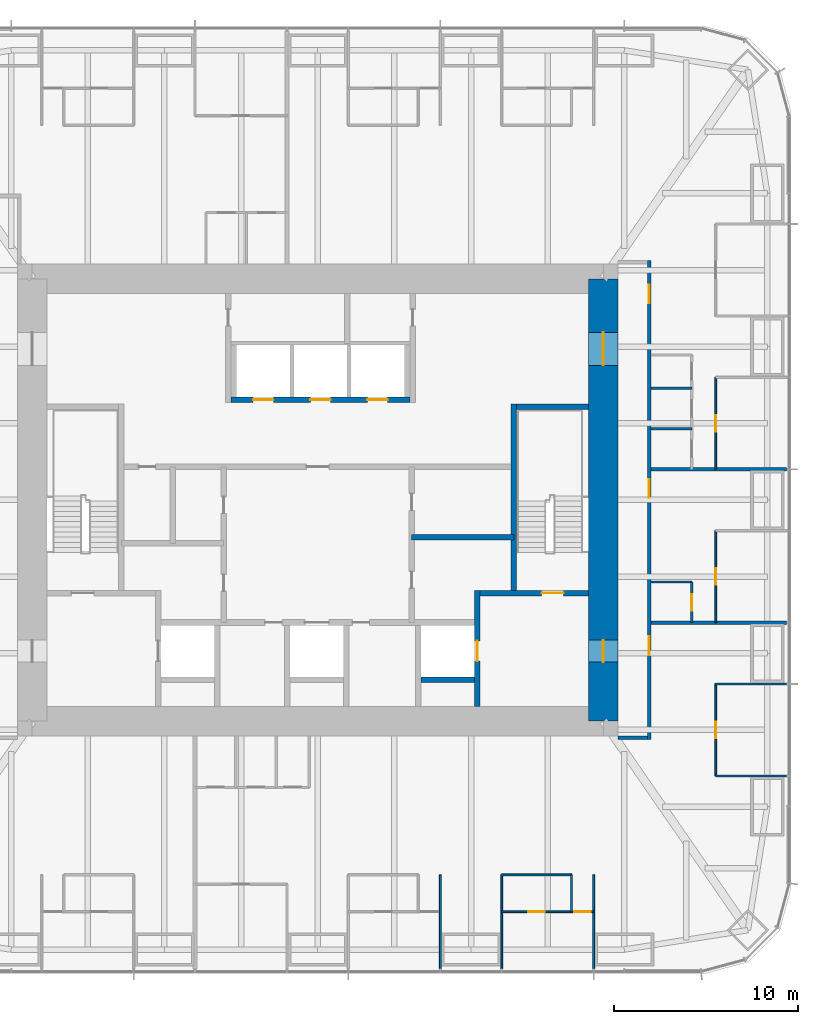
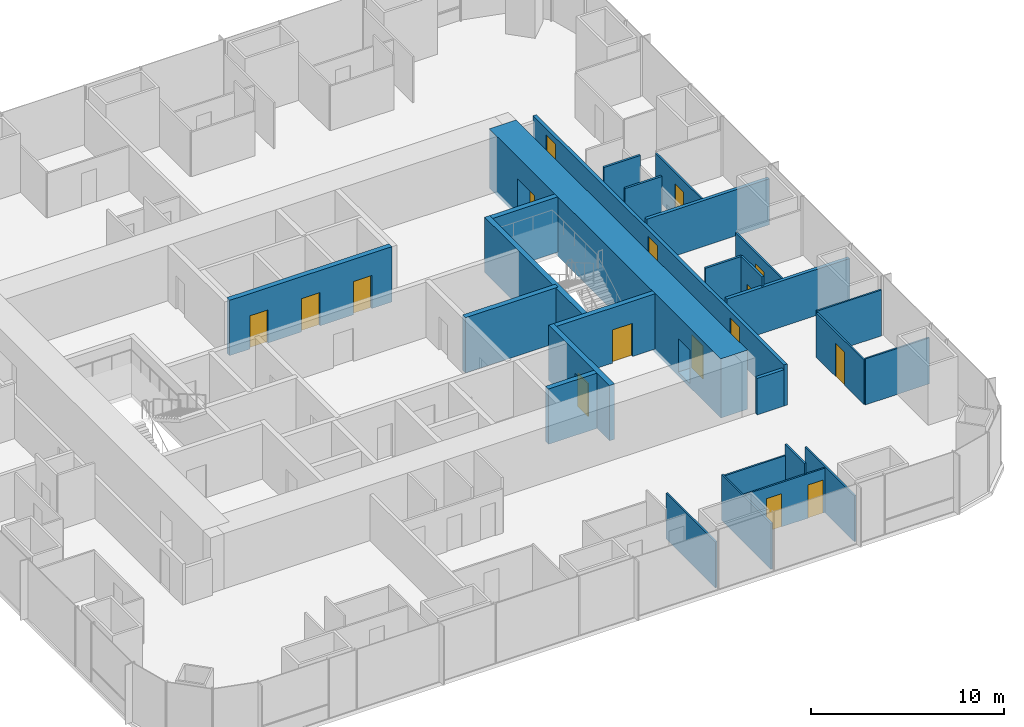
# One storey, part 10 of 13: 27 walls, 16 doors, 16 openings.
"""IFC4 building model written with IfcOpenShell, lengths in metres."""

from ifc_helpers import new_model, si_unit, direction, frame, frame_2d, origin, place, context, subcontext, project, spatial, rectangle, extrude, material, layer, layer_set, type_object, element, fill, save


model = new_model("IFC4")

# Units and contexts
model_context = context("Model", 3, precision=1e-05, world=origin(), true_north=direction((0.0, 1.0)))
body_context = subcontext(model_context, "Body", "Model", "MODEL_VIEW")
ifc_project = project(units=[si_unit("LENGTHUNIT", "METRE"), si_unit("AREAUNIT", "SQUARE_METRE"), si_unit("VOLUMEUNIT", "CUBIC_METRE"), si_unit("PLANEANGLEUNIT", "RADIAN"), si_unit("MASSUNIT", "GRAM", prefix="KILO")], contexts=[model_context])

# Site, building, storey
site_placement = place(None, origin())
site = spatial("IfcSite", under=ifc_project, at=site_placement, CompositionType="ELEMENT")
building_placement = place(site_placement, origin())
building = spatial("IfcBuilding", under=site, at=building_placement, Name="Khuree Lantern Residences", CompositionType="ELEMENT")
storey_placement = place(building_placement, frame((0.0, 0.0, 263.25)))
storey = spatial("IfcBuildingStorey", under=building, at=storey_placement, Name="L66", CompositionType="ELEMENT", Elevation=263.25)

# Wall, opening, door
ifc_material_1 = material(Name="Moisture-resistant gypsum board on steel studs", Category="steel")
ifc_layer_1 = layer(ifc_material_1, 0.125)
ifc_layer_set_1 = layer_set([ifc_layer_1], Name="BATHROOM WALL BTW125")
wall_type_1 = type_object("IfcWallType", Name="BATHROOM WALL BTW125", PredefinedType="PARTITIONING", material=ifc_layer_set_1)
wall_1_placement = place(storey_placement, frame((20.300048828125, -6.656005859375, 0.0), z_axis=(0.0, 0.0, 1.0), x_axis=(0.0, 1.0, 0.0)))
wall_1 = element("IfcWall", 1, at=wall_1_placement, inside=storey, type_object=wall_type_1, Name="L66 BATHROOM WALL 01", PredefinedType="PARTITIONING", context=body_context, shape_type="SweptSolid", body=[
    extrude(rectangle(XDim=2.199951171875, YDim=0.125, at=frame_2d((1.10009765625, 0.0))), origin(), (0.0, 0.0, 1.0), 3.5),
])
opening_1_placement = place(wall_1_placement, frame((0.64990234375, 0.0, 0.0)))
opening_1 = element("IfcOpeningElement", 2, at=opening_1_placement, cuts=wall_1, Name="Opening 66-024", PredefinedType="OPENING", context=body_context, shape_type="SweptSolid", body=[
    extrude(rectangle(XDim=0.89990234375, YDim=2.10009765625, at=frame_2d((0.449951171875, 1.050048828125))), frame((0.0, 0.072509765625, 0.0), z_axis=(0.0, -1.0, 0.0), x_axis=(1.0, 0.0, 0.0)), (0.0, 0.0, 1.0), 0.14501953125),
])
ifc_material_2 = material(Name="Timber door leaf in hardwood frame", Category="wood")
door_type_1 = type_object("IfcDoorType", Name="BATHROOM DOOR 900X2100", OperationType="SINGLE_SWING_LEFT", PredefinedType="DOOR", material=ifc_material_2)
door_1_placement = place(opening_1_placement, origin())
door_1 = element("IfcDoor", 3, at=door_1_placement, inside=storey, type_object=door_type_1, Name="Bathroom door 66-024", OperationType="SINGLE_SWING_LEFT", OverallHeight=2.10009765625, OverallWidth=0.89990234375, PredefinedType="DOOR", context=body_context, shape_type="SweptSolid", body=[
    extrude(rectangle(XDim=0.89990234375, YDim=2.10009765625, at=frame_2d((0.449951171875, 1.050048828125))), frame((0.0, 0.02490234375, 0.0), z_axis=(0.0, -1.0, 0.0), x_axis=(1.0, 0.0, 0.0)), (0.0, 0.0, 1.0), 0.050048828125),
])
fill(opening_1, door_1)

# Walls
for number, where, z_axis, x_axis, name in (
    (4, (18.10009765625, -4.4560546875, 0.0), (0.0, 0.0, 1.0), (1.0, 0.0, 0.0), "L66 BATHROOM WALL 01"),
    (5, (18.10009765625, 3.864013671875, 0.0), (0.0, 0.0, 1.0), (1.0, 0.0, 0.0), "L66 BATHROOM WALL 02"),
    (6, (18.10009765625, 6.06396484375, 0.0), (0.0, 0.0, 1.0), (1.0, 0.0, 0.0), "L66 BATHROOM WALL 02"),
):
    element("IfcWall", number, at=place(storey_placement, frame(where, z_axis=z_axis, x_axis=x_axis)), inside=storey, type_object=wall_type_1, Name=name, PredefinedType="PARTITIONING", context=body_context, shape_type="SweptSolid", body=[
        extrude(rectangle(XDim=2.199951171875, YDim=0.125, at=frame_2d((1.10009765625, 0.0))), origin(), (0.0, 0.0, 1.0), 3.5),
    ])

# Wall, opening, door
ifc_material_3 = material(Name="Dense concrete blockwork", Category="masonry")
ifc_layer_2 = layer(ifc_material_3, 0.300048828125)
ifc_layer_set_2 = layer_set([ifc_layer_2], Name="CORE PARTITION WALL CPW300 EI 120")
wall_type_2 = type_object("IfcWallType", Name="CORE PARTITION WALL CPW300 EI 120", PredefinedType="PARTITIONING", material=ifc_layer_set_2)
wall_2_placement = place(storey_placement, frame((8.64990234375, -11.199951171875, 0.0), z_axis=(0.0, 0.0, 1.0), x_axis=(0.0, 1.0, 0.0)))
wall_2 = element("IfcWall", 7, at=wall_2_placement, inside=storey, type_object=wall_type_2, Name="L66 CORE WALL FL2E", PredefinedType="PARTITIONING", context=body_context, shape_type="SweptSolid", body=[
    extrude(rectangle(XDim=6.300048828125, YDim=0.300048828125, at=frame_2d((3.14990234375, 0.0))), origin(), (0.0, 0.0, 1.0), 3.5),
])
opening_2_placement = place(wall_2_placement, frame((2.449951171875, 0.0, 0.0)))
opening_2 = element("IfcOpeningElement", 8, at=opening_2_placement, cuts=wall_2, Name="Opening 66-008", PredefinedType="OPENING", context=body_context, shape_type="SweptSolid", body=[
    extrude(rectangle(XDim=1.10009765625, YDim=2.10009765625, at=frame_2d((0.550048828125, 1.050048828125))), frame((0.0, 0.16015625, 0.0), z_axis=(0.0, -1.0, 0.0), x_axis=(1.0, 0.0, 0.0)), (0.0, 0.0, 1.0), 0.320068359375),
])
ifc_material_4 = material(Name="Stainless steel lift landing door", Category="steel")
door_type_2 = type_object("IfcDoorType", Name="LIFT LANDING DOOR 1100X2100 E 120", OperationType="DOUBLE_DOOR_SLIDING", PredefinedType="DOOR", material=ifc_material_4)
door_2_placement = place(opening_2_placement, origin())
door_2 = element("IfcDoor", 9, at=door_2_placement, inside=storey, type_object=door_type_2, Name="Landing door FL2 66-008", OperationType="DOUBLE_DOOR_SLIDING", OverallHeight=2.10009765625, OverallWidth=1.10009765625, PredefinedType="DOOR", context=body_context, shape_type="SweptSolid", body=[
    extrude(rectangle(XDim=1.10009765625, YDim=2.10009765625, at=frame_2d((0.550048828125, 1.050048828125))), frame((0.0, 0.02490234375, 0.0), z_axis=(0.0, -1.0, 0.0), x_axis=(1.0, 0.0, 0.0)), (0.0, 0.0, 1.0), 0.050048828125),
])
fill(opening_2, door_2)

# Wall
wall_3_placement = place(storey_placement, frame((5.60009765625, -9.75, 0.0), z_axis=(0.0, 0.0, 1.0), x_axis=(1.0, 0.0, 0.0)))
element("IfcWall", 10, at=wall_3_placement, inside=storey, type_object=wall_type_2, Name="L66 CORE WALL FL2S", PredefinedType="PARTITIONING", context=body_context, shape_type="SweptSolid", body=[
    extrude(rectangle(XDim=2.89990234375, YDim=0.300048828125, at=frame_2d((1.449951171875, 0.0))), origin(), (0.0, 0.0, 1.0), 3.5),
])

# Wall, openings, doors
wall_4_placement = place(storey_placement, frame((-4.699951171875, 5.449951171875, 0.0), z_axis=(0.0, 0.0, 1.0), x_axis=(1.0, 0.0, 0.0)))
wall_4 = element("IfcWall", 11, at=wall_4_placement, inside=storey, type_object=wall_type_2, Name="L66 CORE WALL PHS", PredefinedType="PARTITIONING", context=body_context, shape_type="SweptSolid", body=[
    extrude(rectangle(XDim=9.699951171875, YDim=0.300048828125, at=frame_2d((4.85009765625, 0.0))), origin(), (0.0, 0.0, 1.0), 3.5),
])
opening_3_placement = place(wall_4_placement, frame((1.199951171875, 0.0, 0.0)))
opening_3 = element("IfcOpeningElement", 12, at=opening_3_placement, cuts=wall_4, Name="Opening 66-009", PredefinedType="OPENING", context=body_context, shape_type="SweptSolid", body=[
    extrude(rectangle(XDim=1.10009765625, YDim=2.10009765625, at=frame_2d((0.550048828125, 1.050048828125))), frame((0.0, 0.16015625, 0.0), z_axis=(0.0, -1.0, 0.0), x_axis=(1.0, 0.0, 0.0)), (0.0, 0.0, 1.0), 0.320068359375),
])
opening_4_placement = place(wall_4_placement, frame((4.300048828125, 0.0, 0.0)))
opening_4 = element("IfcOpeningElement", 13, at=opening_4_placement, cuts=wall_4, Name="Opening 66-010", PredefinedType="OPENING", context=body_context, shape_type="SweptSolid", body=[
    extrude(rectangle(XDim=1.10009765625, YDim=2.10009765625, at=frame_2d((0.550048828125, 1.050048828125))), frame((0.0, 0.16015625, 0.0), z_axis=(0.0, -1.0, 0.0), x_axis=(1.0, 0.0, 0.0)), (0.0, 0.0, 1.0), 0.320068359375),
])
opening_5_placement = place(wall_4_placement, frame((7.39990234375, 0.0, 0.0)))
opening_5 = element("IfcOpeningElement", 14, at=opening_5_placement, cuts=wall_4, Name="Opening 66-011", PredefinedType="OPENING", context=body_context, shape_type="SweptSolid", body=[
    extrude(rectangle(XDim=1.10009765625, YDim=2.10009765625, at=frame_2d((0.550048828125, 1.050048828125))), frame((0.0, 0.16015625, 0.0), z_axis=(0.0, -1.0, 0.0), x_axis=(1.0, 0.0, 0.0)), (0.0, 0.0, 1.0), 0.320068359375),
])
door_type_3 = type_object("IfcDoorType", Name="LIFT LANDING DOOR 1100X2100 E 60", OperationType="DOUBLE_DOOR_SLIDING", PredefinedType="DOOR", material=ifc_material_4)
door_3_placement = place(opening_3_placement, origin())
door_3 = element("IfcDoor", 15, at=door_3_placement, inside=storey, type_object=door_type_3, Name="Landing door PH1 66-009", OperationType="DOUBLE_DOOR_SLIDING", OverallHeight=2.10009765625, OverallWidth=1.10009765625, PredefinedType="DOOR", context=body_context, shape_type="SweptSolid", body=[
    extrude(rectangle(XDim=1.10009765625, YDim=2.10009765625, at=frame_2d((0.550048828125, 1.050048828125))), frame((0.0, 0.02490234375, 0.0), z_axis=(0.0, -1.0, 0.0), x_axis=(1.0, 0.0, 0.0)), (0.0, 0.0, 1.0), 0.050048828125),
])
fill(opening_3, door_3)
door_4_placement = place(opening_4_placement, origin())
door_4 = element("IfcDoor", 16, at=door_4_placement, inside=storey, type_object=door_type_3, Name="Landing door PH2 66-010", OperationType="DOUBLE_DOOR_SLIDING", OverallHeight=2.10009765625, OverallWidth=1.10009765625, PredefinedType="DOOR", context=body_context, shape_type="SweptSolid", body=[
    extrude(rectangle(XDim=1.10009765625, YDim=2.10009765625, at=frame_2d((0.550048828125, 1.050048828125))), frame((0.0, 0.02490234375, 0.0), z_axis=(0.0, -1.0, 0.0), x_axis=(1.0, 0.0, 0.0)), (0.0, 0.0, 1.0), 0.050048828125),
])
fill(opening_4, door_4)
door_5_placement = place(opening_5_placement, origin())
door_5 = element("IfcDoor", 17, at=door_5_placement, inside=storey, type_object=door_type_3, Name="Landing door PH3 66-011", OperationType="DOUBLE_DOOR_SLIDING", OverallHeight=2.10009765625, OverallWidth=1.10009765625, PredefinedType="DOOR", context=body_context, shape_type="SweptSolid", body=[
    extrude(rectangle(XDim=1.10009765625, YDim=2.10009765625, at=frame_2d((0.550048828125, 1.050048828125))), frame((0.0, 0.02490234375, 0.0), z_axis=(0.0, -1.0, 0.0), x_axis=(1.0, 0.0, 0.0)), (0.0, 0.0, 1.0), 0.050048828125),
])
fill(opening_5, door_5)

# Walls
wall_5_placement = place(storey_placement, frame((10.64990234375, -2.01806640625, 0.0), z_axis=(0.0, 0.0, 1.0), x_axis=(-1.0, 0.0, 0.0)))
element("IfcWall", 18, at=wall_5_placement, inside=storey, type_object=wall_type_2, Name="L66 CORE WALL EX", PredefinedType="PARTITIONING", context=body_context, shape_type="SweptSolid", body=[
    extrude(rectangle(XDim=5.5498046875, YDim=0.300048828125, at=frame_2d((2.77490234375, 0.0))), origin(), (0.0, 0.0, 1.0), 3.5),
])
ifc_material_5 = material(Name="Gypsum board on steel studs", Category="steel")
ifc_layer_3 = layer(ifc_material_5, 0.199951171875)
ifc_layer_set_3 = layer_set([ifc_layer_3], Name="CORRIDOR WALL CRW200 EI 60")
wall_type_3 = type_object("IfcWallType", Name="CORRIDOR WALL CRW200 EI 60", PredefinedType="PARTITIONING", material=ifc_layer_set_3)
wall_6_placement = place(storey_placement, frame((16.300048828125, -12.89990234375, 0.0), z_axis=(0.0, 0.0, 1.0), x_axis=(1.0, 0.0, 0.0)))
element("IfcWall", 19, at=wall_6_placement, inside=storey, type_object=wall_type_3, Name="L66 EAST CORRIDOR SOUTH END WALL", PredefinedType="PARTITIONING", context=body_context, shape_type="SweptSolid", body=[
    extrude(rectangle(XDim=1.599853515625, YDim=0.199951171875, at=frame_2d((0.7998046875, 0.0))), origin(), (0.0, 0.0, 1.0), 2.300048828125),
])

# Wall, openings, doors
wall_7_placement = place(storey_placement, frame((18.0, -13.0, 0.0), z_axis=(0.0, 0.0, 1.0), x_axis=(0.0, 1.0, 0.0)))
wall_7 = element("IfcWall", 20, at=wall_7_placement, inside=storey, type_object=wall_type_3, Name="L66 CORRIDOR WALL EAST 1", PredefinedType="PARTITIONING", context=body_context, shape_type="SweptSolid", body=[
    extrude(rectangle(XDim=26.0, YDim=0.199951171875, at=frame_2d((13.0, 0.0))), origin(), (0.0, 0.0, 1.0), 2.60009765625),
])
opening_6_placement = place(wall_7_placement, frame((13.114013671875, 0.0, 0.0)))
opening_6 = element("IfcOpeningElement", 21, at=opening_6_placement, cuts=wall_7, Name="Opening 66-025", PredefinedType="OPENING", context=body_context, shape_type="SweptSolid", body=[
    extrude(rectangle(XDim=1.0, YDim=2.199951171875, at=frame_2d((0.5, 1.10009765625))), frame((0.0, 0.10986328125, 0.0), z_axis=(0.0, -1.0, 0.0), x_axis=(1.0, 0.0, 0.0)), (0.0, 0.0, 1.0), 0.219970703125),
])
opening_7_placement = place(wall_7_placement, frame((23.68408203125, 0.0, 0.0)))
opening_7 = element("IfcOpeningElement", 22, at=opening_7_placement, cuts=wall_7, Name="Opening 66-035", PredefinedType="OPENING", context=body_context, shape_type="SweptSolid", body=[
    extrude(rectangle(XDim=1.0, YDim=2.199951171875, at=frame_2d((0.5, 1.10009765625))), frame((0.0, 0.10986328125, 0.0), z_axis=(0.0, -1.0, 0.0), x_axis=(1.0, 0.0, 0.0)), (0.0, 0.0, 1.0), 0.219970703125),
])
opening_8_placement = place(wall_7_placement, frame((4.60009765625, 0.0, 0.0)))
opening_8 = element("IfcOpeningElement", 23, at=opening_8_placement, cuts=wall_7, Name="Opening 66-061", PredefinedType="OPENING", context=body_context, shape_type="SweptSolid", body=[
    extrude(rectangle(XDim=1.0, YDim=2.199951171875, at=frame_2d((0.5, 1.10009765625))), frame((0.0, 0.10986328125, 0.0), z_axis=(0.0, -1.0, 0.0), x_axis=(1.0, 0.0, 0.0)), (0.0, 0.0, 1.0), 0.219970703125),
])
door_type_4 = type_object("IfcDoorType", Name="APARTMENT ENTRANCE DOOR 1000X2200 EI 30S", OperationType="SINGLE_SWING_LEFT", PredefinedType="DOOR", material=ifc_material_2)
door_6_placement = place(opening_6_placement, origin())
door_6 = element("IfcDoor", 24, at=door_6_placement, inside=storey, type_object=door_type_4, Name="Apartment 01 entrance door 66-025", OperationType="SINGLE_SWING_LEFT", OverallHeight=2.199951171875, OverallWidth=1.0, PredefinedType="DOOR", context=body_context, shape_type="SweptSolid", body=[
    extrude(rectangle(XDim=1.0, YDim=2.199951171875, at=frame_2d((0.5, 1.10009765625))), frame((0.0, 0.02490234375, 0.0), z_axis=(0.0, -1.0, 0.0), x_axis=(1.0, 0.0, 0.0)), (0.0, 0.0, 1.0), 0.050048828125),
])
fill(opening_6, door_6)
door_7_placement = place(opening_8_placement, origin())
door_7 = element("IfcDoor", 25, at=door_7_placement, inside=storey, type_object=door_type_4, Name="Apartment 06 entrance door 66-061", OperationType="SINGLE_SWING_LEFT", OverallHeight=2.199951171875, OverallWidth=1.0, PredefinedType="DOOR", context=body_context, shape_type="SweptSolid", body=[
    extrude(rectangle(XDim=1.0, YDim=2.199951171875, at=frame_2d((0.5, 1.10009765625))), frame((0.0, 0.02490234375, 0.0), z_axis=(0.0, -1.0, 0.0), x_axis=(1.0, 0.0, 0.0)), (0.0, 0.0, 1.0), 0.050048828125),
])
fill(opening_8, door_7)
door_type_5 = type_object("IfcDoorType", Name="APARTMENT ENTRANCE DOOR 1000X2200 EI 30S RIGHT HAND", OperationType="SINGLE_SWING_RIGHT", PredefinedType="DOOR", material=ifc_material_2)
door_8_placement = place(opening_7_placement, origin())
door_8 = element("IfcDoor", 26, at=door_8_placement, inside=storey, type_object=door_type_5, Name="Apartment 02 entrance door 66-035", OperationType="SINGLE_SWING_RIGHT", OverallHeight=2.199951171875, OverallWidth=1.0, PredefinedType="DOOR", context=body_context, shape_type="SweptSolid", body=[
    extrude(rectangle(XDim=1.0, YDim=2.199951171875, at=frame_2d((0.5, 1.10009765625))), frame((0.0, 0.02490234375, 0.0), z_axis=(0.0, -1.0, 0.0), x_axis=(1.0, 0.0, 0.0)), (0.0, 0.0, 1.0), 0.050048828125),
])
fill(opening_7, door_8)

ifc_material_6 = material(Name="Concrete C50/60", Category="concrete")
ifc_layer_4 = layer(ifc_material_6, 1.60009765625)
ifc_layer_set_4 = layer_set([ifc_layer_4], Name="CW1600-C50 CORE WALL C50 1600")
wall_type_4 = type_object("IfcWallType", Name="CW1600-C50 CORE WALL C50 1600", PredefinedType="SHEAR", material=ifc_layer_set_4)
wall_8_placement = place(storey_placement, frame((15.5, -12.0, -0.25), z_axis=(0.0, 0.0, 1.0), x_axis=(0.0, 1.0, 0.0)))
wall_8 = element("IfcWall", 27, at=wall_8_placement, inside=storey, type_object=wall_type_4, Name="Core wall E", PredefinedType="SHEAR", context=body_context, shape_type="SweptSolid", body=[
    extrude(rectangle(XDim=24.0, YDim=1.60009765625, at=frame_2d((12.0, 0.0))), origin(), (0.0, 0.0, 1.0), 3.75),
])
opening_9_placement = place(wall_8_placement, frame((3.199951171875, 0.0, 0.25)))
opening_9 = element("IfcOpeningElement", 28, at=opening_9_placement, cuts=wall_8, Name="Opening 66-005", PredefinedType="OPENING", context=body_context, shape_type="SweptSolid", body=[
    extrude(rectangle(XDim=1.199951171875, YDim=2.10009765625, at=frame_2d((0.60009765625, 1.050048828125))), frame((0.0, 0.81005859375, 0.0), z_axis=(0.0, -1.0, 0.0), x_axis=(1.0, 0.0, 0.0)), (0.0, 0.0, 1.0), 1.6201171875),
])
opening_10_placement = place(wall_8_placement, frame((19.300048828125, 0.0, 0.25)))
opening_10 = element("IfcOpeningElement", 29, at=opening_10_placement, cuts=wall_8, Name="Opening 66-006", PredefinedType="OPENING", context=body_context, shape_type="SweptSolid", body=[
    extrude(rectangle(XDim=1.800048828125, YDim=2.10009765625, at=frame_2d((0.89990234375, 1.050048828125))), frame((0.0, 0.81005859375, 0.0), z_axis=(0.0, -1.0, 0.0), x_axis=(1.0, 0.0, 0.0)), (0.0, 0.0, 1.0), 1.6201171875),
])
ifc_material_7 = material(Name="Steel door leaf in steel frame", Category="steel")
door_type_6 = type_object("IfcDoorType", Name="LOBBY DOOR 1200X2100 EI 120", OperationType="SINGLE_SWING_LEFT", PredefinedType="DOOR", material=ifc_material_7)
door_9_placement = place(opening_9_placement, origin())
door_9 = element("IfcDoor", 30, at=door_9_placement, inside=storey, type_object=door_type_6, Name="Firefighting lobby door 66-005", OperationType="SINGLE_SWING_LEFT", OverallHeight=2.10009765625, OverallWidth=1.199951171875, PredefinedType="DOOR", context=body_context, shape_type="SweptSolid", body=[
    extrude(rectangle(XDim=1.199951171875, YDim=2.10009765625, at=frame_2d((0.60009765625, 1.050048828125))), frame((0.0, 0.02490234375, 0.0), z_axis=(0.0, -1.0, 0.0), x_axis=(1.0, 0.0, 0.0)), (0.0, 0.0, 1.0), 0.050048828125),
])
fill(opening_9, door_9)
door_type_7 = type_object("IfcDoorType", Name="LOBBY DOUBLE DOOR 1800X2100 EI 60", OperationType="DOUBLE_DOOR_SINGLE_SWING", PredefinedType="DOOR", material=ifc_material_7)
door_10_placement = place(opening_10_placement, origin())
door_10 = element("IfcDoor", 31, at=door_10_placement, inside=storey, type_object=door_type_7, Name="Lift lobby door 66-006", OperationType="DOUBLE_DOOR_SINGLE_SWING", OverallHeight=2.10009765625, OverallWidth=1.800048828125, PredefinedType="DOOR", context=body_context, shape_type="SweptSolid", body=[
    extrude(rectangle(XDim=1.800048828125, YDim=2.10009765625, at=frame_2d((0.89990234375, 1.050048828125))), frame((0.0, 0.02490234375, 0.0), z_axis=(0.0, -1.0, 0.0), x_axis=(1.0, 0.0, 0.0)), (0.0, 0.0, 1.0), 0.050048828125),
])
fill(opening_10, door_10)

# Walls
ifc_layer_5 = layer(ifc_material_5, 0.199951171875)
ifc_layer_set_5 = layer_set([ifc_layer_5], Name="DEMISING WALL DMW200 EI 90")
wall_type_5 = type_object("IfcWallType", Name="DEMISING WALL DMW200 EI 90", PredefinedType="PARTITIONING", material=ifc_layer_set_5)
for number, where, z_axis, x_axis, name in (
    (32, (18.10009765625, -6.656005859375, 0.0), (0.0, 0.0, 1.0), (1.0, 0.0, 0.0), "L66 DEMISING WALL 01"),
    (33, (18.10009765625, 1.6640625, 0.0), (0.0, 0.0, 1.0), (1.0, 0.0, 0.0), "L66 DEMISING WALL 02"),
):
    element("IfcWall", number, at=place(storey_placement, frame(where, z_axis=z_axis, x_axis=x_axis)), inside=storey, type_object=wall_type_5, Name=name, PredefinedType="PARTITIONING", context=body_context, shape_type="SweptSolid", body=[
        extrude(rectangle(XDim=7.349853515625, YDim=0.199951171875, at=frame_2d((3.6748046875, 0.0))), origin(), (0.0, 0.0, 1.0), 2.909912109375),
    ])
ifc_layer_6 = layer(ifc_material_5, 0.10009765625)
ifc_layer_set_6 = layer_set([ifc_layer_6], Name="PARTITION PT100")
wall_type_6 = type_object("IfcWallType", Name="PARTITION PT100", PredefinedType="PARTITIONING", material=ifc_layer_set_6)
for number, where, z_axis, x_axis, name in (
    (34, (6.656005859375, -20.344970703125, 0.0), (0.0, 0.0, 1.0), (0.0, -1.0, 0.0), "L66 PARTITION 06"),
    (35, (9.98388671875, -20.344970703125, 0.0), (0.0, 0.0, 1.0), (0.0, -1.0, 0.0), "L66 PARTITION 06"),
    (36, (14.97607421875, -20.344970703125, 0.0), (0.0, 0.0, 1.0), (0.0, -1.0, 0.0), "L66 PARTITION 06"),
):
    element("IfcWall", number, at=place(storey_placement, frame(where, z_axis=z_axis, x_axis=x_axis)), inside=storey, type_object=wall_type_6, Name=name, PredefinedType="PARTITIONING", context=body_context, shape_type="SweptSolid", body=[
        extrude(rectangle(XDim=5.10498046875, YDim=0.10009765625, at=frame_2d((2.552490234375, 0.0))), origin(), (0.0, 0.0, 1.0), 2.909912109375),
    ])
for number, where, z_axis, x_axis, name in (
    (37, (21.60009765625, -14.97607421875, 0.0), (0.0, 0.0, 1.0), (1.0, 0.0, 0.0), "L66 PARTITION 06"),
    (38, (21.60009765625, -9.98388671875, 0.0), (0.0, 0.0, 1.0), (1.0, 0.0, 0.0), "L66 PARTITION 06"),
):
    element("IfcWall", number, at=place(storey_placement, frame(where, z_axis=z_axis, x_axis=x_axis)), inside=storey, type_object=wall_type_6, Name=name, PredefinedType="PARTITIONING", context=body_context, shape_type="SweptSolid", body=[
        extrude(rectangle(XDim=3.849853515625, YDim=0.10009765625, at=frame_2d((1.9248046875, 0.0))), origin(), (0.0, 0.0, 1.0), 2.909912109375),
    ])

# Wall, opening, door
wall_9_placement = place(storey_placement, frame((21.60009765625, -6.656005859375, 0.0), z_axis=(0.0, 0.0, 1.0), x_axis=(0.0, 1.0, 0.0)))
wall_9 = element("IfcWall", 39, at=wall_9_placement, inside=storey, type_object=wall_type_6, Name="L66 PARTITION 01", PredefinedType="PARTITIONING", context=body_context, shape_type="SweptSolid", body=[
    extrude(rectangle(XDim=4.991943359375, YDim=0.10009765625, at=frame_2d((2.49609375, 0.0))), origin(), (0.0, 0.0, 1.0), 2.81005859375),
])
opening_11_placement = place(wall_9_placement, frame((2.0458984375, 0.0, 0.0)))
opening_11 = element("IfcOpeningElement", 40, at=opening_11_placement, cuts=wall_9, Name="Opening 66-023", PredefinedType="OPENING", context=body_context, shape_type="SweptSolid", body=[
    extrude(rectangle(XDim=0.89990234375, YDim=2.10009765625, at=frame_2d((0.449951171875, 1.050048828125))), frame((0.0, 0.06005859375, 0.0), z_axis=(0.0, -1.0, 0.0), x_axis=(1.0, 0.0, 0.0)), (0.0, 0.0, 1.0), 0.1201171875),
])
door_type_8 = type_object("IfcDoorType", Name="BEDROOM DOOR 900X2100", OperationType="SINGLE_SWING_LEFT", PredefinedType="DOOR", material=ifc_material_2)
door_11_placement = place(opening_11_placement, origin())
door_11 = element("IfcDoor", 41, at=door_11_placement, inside=storey, type_object=door_type_8, Name="Bedroom door 66-023", OperationType="SINGLE_SWING_LEFT", OverallHeight=2.10009765625, OverallWidth=0.89990234375, PredefinedType="DOOR", context=body_context, shape_type="SweptSolid", body=[
    extrude(rectangle(XDim=0.89990234375, YDim=2.10009765625, at=frame_2d((0.449951171875, 1.050048828125))), frame((0.0, 0.02490234375, 0.0), z_axis=(0.0, -1.0, 0.0), x_axis=(1.0, 0.0, 0.0)), (0.0, 0.0, 1.0), 0.050048828125),
])
fill(opening_11, door_11)

wall_10_placement = place(storey_placement, frame((21.60009765625, 1.6640625, 0.0), z_axis=(0.0, 0.0, 1.0), x_axis=(0.0, 1.0, 0.0)))
wall_10 = element("IfcWall", 42, at=wall_10_placement, inside=storey, type_object=wall_type_6, Name="L66 PARTITION 02", PredefinedType="PARTITIONING", context=body_context, shape_type="SweptSolid", body=[
    extrude(rectangle(XDim=4.991943359375, YDim=0.10009765625, at=frame_2d((2.49609375, 0.0))), origin(), (0.0, 0.0, 1.0), 2.81005859375),
])
opening_12_placement = place(wall_10_placement, frame((2.0458984375, 0.0, 0.0)))
opening_12 = element("IfcOpeningElement", 43, at=opening_12_placement, cuts=wall_10, Name="Opening 66-026", PredefinedType="OPENING", context=body_context, shape_type="SweptSolid", body=[
    extrude(rectangle(XDim=0.89990234375, YDim=2.10009765625, at=frame_2d((0.449951171875, 1.050048828125))), frame((0.0, 0.06005859375, 0.0), z_axis=(0.0, -1.0, 0.0), x_axis=(1.0, 0.0, 0.0)), (0.0, 0.0, 1.0), 0.1201171875),
])
door_12_placement = place(opening_12_placement, origin())
door_12 = element("IfcDoor", 44, at=door_12_placement, inside=storey, type_object=door_type_8, Name="Bedroom door 66-026", OperationType="SINGLE_SWING_LEFT", OverallHeight=2.10009765625, OverallWidth=0.89990234375, PredefinedType="DOOR", context=body_context, shape_type="SweptSolid", body=[
    extrude(rectangle(XDim=0.89990234375, YDim=2.10009765625, at=frame_2d((0.449951171875, 1.050048828125))), frame((0.0, 0.02490234375, 0.0), z_axis=(0.0, -1.0, 0.0), x_axis=(1.0, 0.0, 0.0)), (0.0, 0.0, 1.0), 0.050048828125),
])
fill(opening_12, door_12)

# Wall, openings, doors
wall_11_placement = place(storey_placement, frame((9.98388671875, -22.344970703125, 0.0), z_axis=(0.0, 0.0, 1.0), x_axis=(1.0, 0.0, 0.0)))
wall_11 = element("IfcWall", 45, at=wall_11_placement, inside=storey, type_object=wall_type_6, Name="L66 PARTITION 06", PredefinedType="PARTITIONING", context=body_context, shape_type="SweptSolid", body=[
    extrude(rectangle(XDim=4.9921875, YDim=0.10009765625, at=frame_2d((2.49609375, 0.0))), origin(), (0.0, 0.0, 1.0), 2.81005859375),
])
opening_13_placement = place(wall_11_placement, frame((3.94189453125, 0.0, 0.0)))
opening_13 = element("IfcOpeningElement", 46, at=opening_13_placement, cuts=wall_11, Name="Opening 66-055", PredefinedType="OPENING", context=body_context, shape_type="SweptSolid", body=[
    extrude(rectangle(XDim=0.89990234375, YDim=2.10009765625, at=frame_2d((0.449951171875, 1.050048828125))), frame((0.0, 0.06005859375, 0.0), z_axis=(0.0, -1.0, 0.0), x_axis=(1.0, 0.0, 0.0)), (0.0, 0.0, 1.0), 0.1201171875),
])
opening_14_placement = place(wall_11_placement, frame((1.446044921875, 0.0, 0.0)))
opening_14 = element("IfcOpeningElement", 47, at=opening_14_placement, cuts=wall_11, Name="Opening 66-056", PredefinedType="OPENING", context=body_context, shape_type="SweptSolid", body=[
    extrude(rectangle(XDim=0.89990234375, YDim=2.10009765625, at=frame_2d((0.449951171875, 1.050048828125))), frame((0.0, 0.06005859375, 0.0), z_axis=(0.0, -1.0, 0.0), x_axis=(1.0, 0.0, 0.0)), (0.0, 0.0, 1.0), 0.1201171875),
])
door_13_placement = place(opening_13_placement, origin())
door_13 = element("IfcDoor", 48, at=door_13_placement, inside=storey, type_object=door_type_8, Name="Bedroom door 66-055", OperationType="SINGLE_SWING_LEFT", OverallHeight=2.10009765625, OverallWidth=0.89990234375, PredefinedType="DOOR", context=body_context, shape_type="SweptSolid", body=[
    extrude(rectangle(XDim=0.89990234375, YDim=2.10009765625, at=frame_2d((0.449951171875, 1.050048828125))), frame((0.0, 0.02490234375, 0.0), z_axis=(0.0, -1.0, 0.0), x_axis=(1.0, 0.0, 0.0)), (0.0, 0.0, 1.0), 0.050048828125),
])
fill(opening_13, door_13)
door_type_9 = type_object("IfcDoorType", Name="DOOR 900X2100", OperationType="SINGLE_SWING_LEFT", PredefinedType="DOOR", material=ifc_material_2)
door_14_placement = place(opening_14_placement, origin())
door_14 = element("IfcDoor", 49, at=door_14_placement, inside=storey, type_object=door_type_9, Name="Wardrobe door 66-056", OperationType="SINGLE_SWING_LEFT", OverallHeight=2.10009765625, OverallWidth=0.89990234375, PredefinedType="DOOR", context=body_context, shape_type="SweptSolid", body=[
    extrude(rectangle(XDim=0.89990234375, YDim=2.10009765625, at=frame_2d((0.449951171875, 1.050048828125))), frame((0.0, 0.02490234375, 0.0), z_axis=(0.0, -1.0, 0.0), x_axis=(1.0, 0.0, 0.0)), (0.0, 0.0, 1.0), 0.050048828125),
])
fill(opening_14, door_14)

# Walls
wall_12_placement = place(storey_placement, frame((13.77587890625, -20.344970703125, 0.0), z_axis=(0.0, 0.0, 1.0), x_axis=(0.0, -1.0, 0.0)))
element("IfcWall", 50, at=wall_12_placement, inside=storey, type_object=wall_type_6, Name="L66 PARTITION 06", PredefinedType="PARTITIONING", context=body_context, shape_type="SweptSolid", body=[
    extrude(rectangle(XDim=2.0, YDim=0.10009765625, at=frame_2d((1.0, 0.0))), origin(), (0.0, 0.0, 1.0), 3.5),
])
wall_13_placement = place(storey_placement, frame((9.98388671875, -20.344970703125, 0.0), z_axis=(0.0, 0.0, 1.0), x_axis=(1.0, 0.0, 0.0)))
element("IfcWall", 51, at=wall_13_placement, inside=storey, type_object=wall_type_6, Name="L66 PARTITION 06", PredefinedType="PARTITIONING", context=body_context, shape_type="SweptSolid", body=[
    extrude(rectangle(XDim=3.7919921875, YDim=0.10009765625, at=frame_2d((1.89599609375, 0.0))), origin(), (0.0, 0.0, 1.0), 2.81005859375),
])

# Wall, opening, door
wall_14_placement = place(storey_placement, frame((21.60009765625, -14.97607421875, 0.0), z_axis=(0.0, 0.0, 1.0), x_axis=(0.0, 1.0, 0.0)))
wall_14 = element("IfcWall", 52, at=wall_14_placement, inside=storey, type_object=wall_type_6, Name="L66 PARTITION 06", PredefinedType="PARTITIONING", context=body_context, shape_type="SweptSolid", body=[
    extrude(rectangle(XDim=4.9921875, YDim=0.10009765625, at=frame_2d((2.49609375, 0.0))), origin(), (0.0, 0.0, 1.0), 2.81005859375),
])
opening_15_placement = place(wall_14_placement, frame((2.0458984375, 0.0, 0.0)))
opening_15 = element("IfcOpeningElement", 53, at=opening_15_placement, cuts=wall_14, Name="Opening 66-057", PredefinedType="OPENING", context=body_context, shape_type="SweptSolid", body=[
    extrude(rectangle(XDim=0.89990234375, YDim=2.10009765625, at=frame_2d((0.449951171875, 1.050048828125))), frame((0.0, 0.06005859375, 0.0), z_axis=(0.0, -1.0, 0.0), x_axis=(1.0, 0.0, 0.0)), (0.0, 0.0, 1.0), 0.1201171875),
])
door_15_placement = place(opening_15_placement, origin())
door_15 = element("IfcDoor", 54, at=door_15_placement, inside=storey, type_object=door_type_8, Name="Bedroom door 66-057", OperationType="SINGLE_SWING_LEFT", OverallHeight=2.10009765625, OverallWidth=0.89990234375, PredefinedType="DOOR", context=body_context, shape_type="SweptSolid", body=[
    extrude(rectangle(XDim=0.89990234375, YDim=2.10009765625, at=frame_2d((0.449951171875, 1.050048828125))), frame((0.0, 0.02490234375, 0.0), z_axis=(0.0, -1.0, 0.0), x_axis=(1.0, 0.0, 0.0)), (0.0, 0.0, 1.0), 0.050048828125),
])
fill(opening_15, door_15)

# Wall
ifc_layer_7 = layer(ifc_material_6, 0.300048828125)
ifc_layer_set_7 = layer_set([ifc_layer_7], Name="STAIR WALL SRW300 C50/60 REI 240")
wall_type_7 = type_object("IfcWallType", Name="STAIR WALL SRW300 C50/60 REI 240", PredefinedType="SOLIDWALL", material=ifc_layer_set_7)
wall_15_placement = place(storey_placement, frame((10.64990234375, -4.89990234375, 0.0), z_axis=(0.0, 0.0, 1.0), x_axis=(0.0, 1.0, 0.0)))
element("IfcWall", 55, at=wall_15_placement, inside=storey, type_object=wall_type_7, Name="L66 STAIR WALL ST2E", PredefinedType="SOLIDWALL", context=body_context, shape_type="SweptSolid", body=[
    extrude(rectangle(XDim=10.099853515625, YDim=0.300048828125, at=frame_2d((5.0498046875, 0.0))), origin(), (0.0, 0.0, 1.0), 3.5),
])

# Wall, opening, door
wall_16_placement = place(storey_placement, frame((14.699951171875, -5.050048828125, 0.0), z_axis=(0.0, 0.0, 1.0), x_axis=(-1.0, 0.0, 0.0)))
wall_16 = element("IfcWall", 56, at=wall_16_placement, inside=storey, type_object=wall_type_7, Name="L66 STAIR WALL ST2S", PredefinedType="SOLIDWALL", context=body_context, shape_type="SweptSolid", body=[
    extrude(rectangle(XDim=5.89990234375, YDim=0.300048828125, at=frame_2d((2.949951171875, 0.0))), origin(), (0.0, 0.0, 1.0), 3.5),
])
opening_16_placement = place(wall_16_placement, frame((1.35009765625, 0.0, 0.0)))
opening_16 = element("IfcOpeningElement", 57, at=opening_16_placement, cuts=wall_16, Name="Opening 66-004", PredefinedType="OPENING", context=body_context, shape_type="SweptSolid", body=[
    extrude(rectangle(XDim=1.199951171875, YDim=2.10009765625, at=frame_2d((0.60009765625, 1.050048828125))), frame((0.0, 0.16015625, 0.0), z_axis=(0.0, -1.0, 0.0), x_axis=(1.0, 0.0, 0.0)), (0.0, 0.0, 1.0), 0.320068359375),
])
door_type_10 = type_object("IfcDoorType", Name="STAIR DOOR 1200X2100 EI 120", OperationType="SINGLE_SWING_LEFT", PredefinedType="DOOR", material=ifc_material_7)
door_16_placement = place(opening_16_placement, origin())
door_16 = element("IfcDoor", 58, at=door_16_placement, inside=storey, type_object=door_type_10, Name="Stair ST2 door 66-004", OperationType="SINGLE_SWING_LEFT", OverallHeight=2.10009765625, OverallWidth=1.199951171875, PredefinedType="DOOR", context=body_context, shape_type="SweptSolid", body=[
    extrude(rectangle(XDim=1.199951171875, YDim=2.10009765625, at=frame_2d((0.60009765625, 1.050048828125))), frame((0.0, 0.02490234375, 0.0), z_axis=(0.0, -1.0, 0.0), x_axis=(1.0, 0.0, 0.0)), (0.0, 0.0, 1.0), 0.050048828125),
])
fill(opening_16, door_16)

# Wall
wall_17_placement = place(storey_placement, frame((14.699951171875, 5.050048828125, 0.0), z_axis=(0.0, 0.0, 1.0), x_axis=(-1.0, 0.0, 0.0)))
element("IfcWall", 59, at=wall_17_placement, inside=storey, type_object=wall_type_7, Name="L66 STAIR WALL ST2N", PredefinedType="SOLIDWALL", context=body_context, shape_type="SweptSolid", body=[
    extrude(rectangle(XDim=3.89990234375, YDim=0.300048828125, at=frame_2d((1.949951171875, 0.0))), origin(), (0.0, 0.0, 1.0), 3.5),
])

save(model, "model.ifc")
